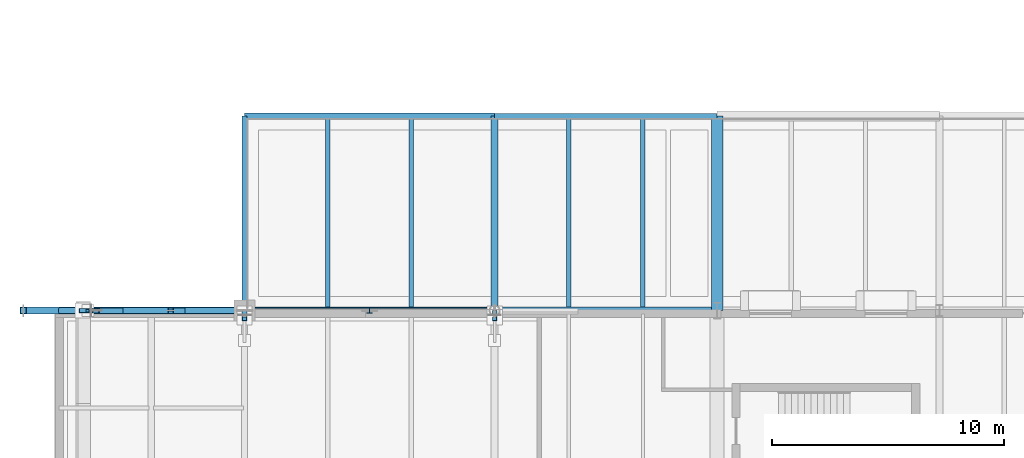
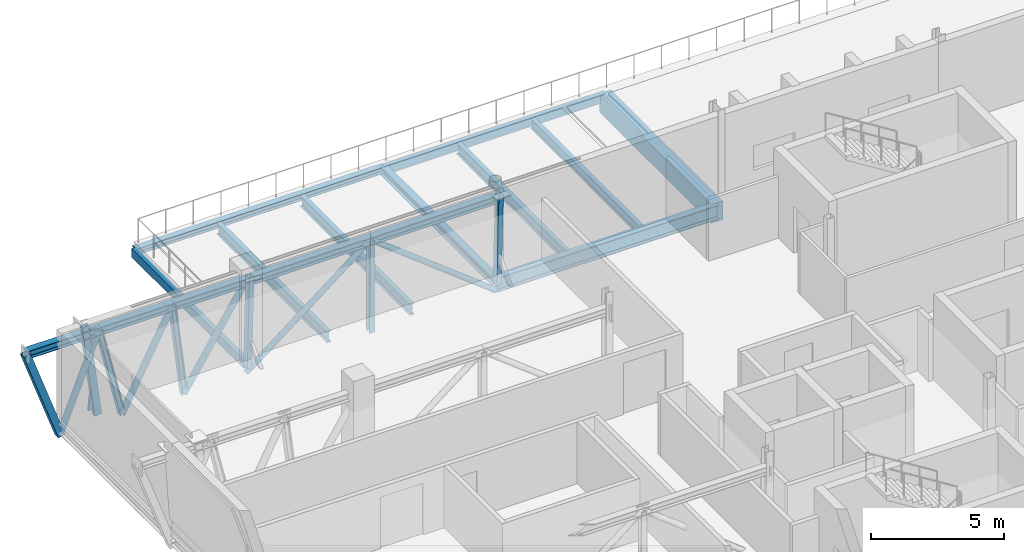
# One storey, part 17 of 57: 18 members, 10 beams.
"""IFC4 building model written with IfcOpenShell, lengths in metres."""

import ifcopenshell
import ifcopenshell.guid

model = None  # the IFC model being written
_history = None  # IfcOwnerHistory: only IFC2X3 demands one
_inside = {}  # id of a spatial element -> (the spatial element, [elements in it])
_under = {}  # id of a project, library or spatial element -> (it, [spatial elements below it])
_declared = {}  # id of a project -> (the project, [libraries it declares])
_typed = {}  # id of a type object -> (the type object, [elements of that type])
_made_of = {}  # id of a material, layer set ... -> (it, [elements and type objects made of it])


def new_model(schema):
    """Start an empty IFC model of exactly this schema.

    Asked for "IFC4X3", IfcOpenShell would pick the latest addendum, in which some entities
    have other attributes; the version numbers below select the first issue.
    IFC2X3 requires an IfcOwnerHistory on every rooted entity: one is made here for all.
    """
    global model, _history
    if schema == "IFC4X3":
        model = ifcopenshell.file(schema_version=(4, 3, 0, 0))
    else:
        model = ifcopenshell.file(schema=schema)
    _inside.clear()
    _under.clear()
    _declared.clear()
    _typed.clear()
    _made_of.clear()
    _history = None
    if model.schema == "IFC2X3":
        org = make("IfcOrganization", Name="unknown")
        user = make(
            "IfcPersonAndOrganization",
            ThePerson=make("IfcPerson", FamilyName="unknown"),
            TheOrganization=org,
        )
        app = make(
            "IfcApplication",
            ApplicationDeveloper=org,
            Version="unknown",
            ApplicationFullName="unknown",
            ApplicationIdentifier="unknown",
        )
        _history = make(
            "IfcOwnerHistory",
            OwningUser=user,
            OwningApplication=app,
            ChangeAction="ADDED",
            CreationDate=0,
        )
    return model


def make(cls, **values):
    """One entity of the class cls with the attributes given. An attribute that is None is left unset."""
    return model.create_entity(
        cls, **{name: value for name, value in values.items() if value is not None}
    )


def rooted(cls, **values):
    """An entity with a GlobalId (a new one), such as an element, a storey or a relation."""
    return make(cls, GlobalId=ifcopenshell.guid.new(), OwnerHistory=_history, **values)


def si_unit(unit_type, name, prefix=None):
    """IfcSIUnit, for example si_unit("LENGTHUNIT", "METRE", prefix="MILLI")."""
    return make("IfcSIUnit", UnitType=unit_type, Prefix=prefix, Name=name)


def assignment(units):
    """IfcUnitAssignment: the units of a project."""
    return None if units is None else make("IfcUnitAssignment", Units=units)


def point(xyz):
    """IfcCartesianPoint."""
    return None if xyz is None else make("IfcCartesianPoint", Coordinates=xyz)


def direction(xyz):
    """IfcDirection."""
    return None if xyz is None else make("IfcDirection", DirectionRatios=xyz)


def frame(location, z_axis=None, x_axis=None):
    """IfcAxis2Placement3D, a coordinate frame: its origin and axes. An axis left out is left unset."""
    return make(
        "IfcAxis2Placement3D",
        Location=point(location),
        Axis=direction(z_axis),
        RefDirection=direction(x_axis),
    )


def frame_2d(location, x_axis=None):
    """IfcAxis2Placement2D, a coordinate frame in the plane: its origin and x axis."""
    return make(
        "IfcAxis2Placement2D", Location=point(location), RefDirection=direction(x_axis)
    )


def origin():
    """The frame at (0, 0, 0) with its axes left unset."""
    return frame((0.0, 0.0, 0.0))


def origin_2d():
    """The frame at (0, 0) in the plane with its x axis left unset."""
    return frame_2d((0.0, 0.0))


def place(relative_to, where):
    """IfcLocalPlacement: puts the frame where relative to a parent placement (None: the world)."""
    return make(
        "IfcLocalPlacement", PlacementRelTo=relative_to, RelativePlacement=where
    )


def context(
    kind, dimensions, precision=None, world=None, true_north=None, identifier=None
):
    """IfcGeometricRepresentationContext, for example the 3D "Model" context."""
    return make(
        "IfcGeometricRepresentationContext",
        ContextIdentifier=identifier,
        ContextType=kind,
        CoordinateSpaceDimension=dimensions,
        Precision=precision,
        WorldCoordinateSystem=world,
        TrueNorth=true_north,
    )


def subcontext(parent, identifier, kind, view, scale=None):
    """IfcGeometricRepresentationSubContext, for example "Body" below "Model"."""
    return make(
        "IfcGeometricRepresentationSubContext",
        ContextIdentifier=identifier,
        ContextType=kind,
        ParentContext=parent,
        TargetScale=scale,
        TargetView=view,
    )


def project(units=None, contexts=None):
    """IfcProject with its units and contexts."""
    return rooted(
        "IfcProject",
        Name="project",
        RepresentationContexts=contexts,
        UnitsInContext=assignment(units),
    )


def spatial(cls, under=None, at=None, **own):
    """A site, building, storey or space (cls), placed at a placement, below another one or the project."""
    s = rooted(cls, ObjectPlacement=at, **own)
    if under is not None:
        _under.setdefault(under.id(), (under, []))[1].append(s)
    return s


def profile(cls, at=None, kind="AREA", **sizes):
    """A parametric profile (cls). Its sizes go by their IFC names, for example OverallWidth=200.0."""
    return make(cls, ProfileType=kind, Position=at, **sizes)


def rectangle(**sizes):
    """IfcRectangleProfileDef."""
    return profile("IfcRectangleProfileDef", **sizes)


def hollow_rectangle(**sizes):
    """IfcRectangleHollowProfileDef."""
    return profile("IfcRectangleHollowProfileDef", **sizes)


def hollow_circle(**sizes):
    """IfcCircleHollowProfileDef."""
    return profile("IfcCircleHollowProfileDef", **sizes)


def i_section(**sizes):
    """IfcIShapeProfileDef."""
    return profile("IfcIShapeProfileDef", **sizes)


def extrude(swept, where, along, depth):
    """IfcExtrudedAreaSolid: the profile swept, set in the frame where, extruded along a direction by depth."""
    return make(
        "IfcExtrudedAreaSolid",
        SweptArea=swept,
        Position=where,
        ExtrudedDirection=direction(along),
        Depth=depth,
    )


def shape(context_of_items, identifier, shape_type, items):
    """IfcShapeRepresentation: the items that make up one representation, for example the "Body"."""
    return make(
        "IfcShapeRepresentation",
        ContextOfItems=context_of_items,
        RepresentationIdentifier=identifier,
        RepresentationType=shape_type,
        Items=items,
    )


def material(Name=None, Category=None):
    """IfcMaterial."""
    return make("IfcMaterial", Name=Name, Category=Category)


def material_profile(
    of_material, cross_section, Name=None, Category=None, Priority=None
):
    """IfcMaterialProfile: a cross section and its material."""
    return make(
        "IfcMaterialProfile",
        Name=Name,
        Material=of_material,
        Profile=cross_section,
        Priority=Priority,
        Category=Category,
    )


def profile_set(profiles, Name=None, composite=None):
    """IfcMaterialProfileSet."""
    return make(
        "IfcMaterialProfileSet",
        Name=Name,
        MaterialProfiles=profiles,
        CompositeProfile=composite,
    )


def made_of(thing, what):
    """Note that an element or type object is made of a material, layer set ...; save() writes the relation."""
    if what is not None:
        _made_of.setdefault(what.id(), (what, []))[1].append(thing)
    return thing


def type_object(cls, material=None, **own):
    """A type object (cls), such as IfcWallType, which elements share."""
    return made_of(rooted(cls, **own), material)


def element(
    cls,
    number,
    at=None,
    inside=None,
    cuts=None,
    type_object=None,
    material=None,
    context=None,
    identifier="Body",
    shape_type=None,
    held_by="IfcProductDefinitionShape",
    body=None,
    shapes=None,
    **own,
):
    """One element of the class cls, such as IfcWall. Its Tag is "e" and its number.

    at: its placement. inside: the storey or other place that contains it. cuts: it is an
    opening in that element (IfcRelVoidsElement). A single representation is given by context,
    identifier, shape_type and body (its items); several are given by shapes. held_by: the class
    of the entity that holds the representations. save() writes the other relations.
    """
    e = rooted(cls, Tag="e%d" % number, ObjectPlacement=at, **own)
    if body is not None:
        shapes = [shape(context, identifier, shape_type, body)]
    if shapes is not None:
        e.Representation = make(held_by, Representations=shapes)
    if inside is not None:
        _inside.setdefault(inside.id(), (inside, []))[1].append(e)
    if cuts is not None:
        rooted(
            "IfcRelVoidsElement", RelatingBuildingElement=cuts, RelatedOpeningElement=e
        )
    if type_object is not None:
        _typed.setdefault(type_object.id(), (type_object, []))[1].append(e)
    return made_of(e, material)


def aggregate(whole, parts):
    """IfcRelAggregates: a whole, such as a stair, and the parts it consists of."""
    return rooted("IfcRelAggregates", RelatingObject=whole, RelatedObjects=parts)


def save(model, path):
    """Write the relations noted so far, then the file.

    IfcRelAggregates (storeys below a building ...), IfcRelContainedInSpatialStructure (elements
    in a storey), IfcRelDefinesByType, IfcRelAssociatesMaterial and IfcRelDeclares: one each for
    every whole, place, type object, material and project.
    """
    for whole, parts in _under.values():
        aggregate(whole, parts)
    for where, things in _inside.values():
        rooted(
            "IfcRelContainedInSpatialStructure",
            RelatedElements=things,
            RelatingStructure=where,
        )
    for kind, things in _typed.values():
        rooted("IfcRelDefinesByType", RelatedObjects=things, RelatingType=kind)
    for what, things in _made_of.values():
        rooted("IfcRelAssociatesMaterial", RelatedObjects=things, RelatingMaterial=what)
    for by, libraries in _declared.values():
        rooted("IfcRelDeclares", RelatingContext=by, RelatedDefinitions=libraries)
    model.write(path)


model = new_model("IFC4")

# Units and contexts
model_context = context("Model", 3, precision=1e-05, world=origin(), true_north=direction((0.0, 1.0)))
body_context = subcontext(model_context, "Body", "Model", "MODEL_VIEW")
ifc_project = project(units=[si_unit("LENGTHUNIT", "METRE"), si_unit("AREAUNIT", "SQUARE_METRE"), si_unit("VOLUMEUNIT", "CUBIC_METRE"), si_unit("PLANEANGLEUNIT", "RADIAN"), si_unit("MASSUNIT", "GRAM", prefix="KILO")], contexts=[model_context])

# Site, building, storey
site_placement = place(None, origin())
site = spatial("IfcSite", under=ifc_project, at=site_placement, CompositionType="ELEMENT")
building_placement = place(site_placement, origin())
building = spatial("IfcBuilding", under=site, at=building_placement, Name="Zereglee Splitstone Museum", CompositionType="ELEMENT")
storey_placement = place(building_placement, frame((0.0, 0.0, 17.10009765625)))
storey = spatial("IfcBuildingStorey", under=building, at=storey_placement, Name="L03", CompositionType="ELEMENT", Elevation=17.10009765625)

# Beam
ifc_material_1 = material(Name="Concrete C40/50", Category="concrete")
ifc_material_profile_1 = material_profile(ifc_material_1, rectangle(XDim=0.5, YDim=0.85009765625, at=origin_2d()), Name="RC 500x850")
ifc_profile_set_1 = profile_set([ifc_material_profile_1], Name="Concrete C40/50")
beam_type_1 = type_object("IfcBeamType", Name="BG-02", PredefinedType="BEAM", material=ifc_profile_set_1)
beam_1_placement = place(storey_placement, frame((30.0, 30.0, -0.705078125), z_axis=(0.0, 1.0, 0.0), x_axis=(-1.0, 0.0, 0.0)))
element("IfcBeam", 1, at=beam_1_placement, inside=storey, type_object=beam_type_1, Name="Primary Girder L03 5 (30.0-38.4)", PredefinedType="BEAM", context=body_context, shape_type="SweptSolid", body=[
    extrude(rectangle(XDim=0.5, YDim=0.85009765625, at=origin_2d()), origin(), (0.0, 0.0, 1.0), 8.39990234375),
])

# Members
ifc_material_2 = material(Name="Steel S355J2H", Category="steel")
ifc_material_profile_2 = material_profile(ifc_material_2, hollow_circle(Radius=0.122314453125, WallThickness=0.012451171875, at=origin_2d()), Name="CHS 244.5x12.5")
ifc_profile_set_2 = profile_set([ifc_material_profile_2], Name="Steel S355J2H")
member_type_1 = type_object("IfcMemberType", Name="TB-02", PredefinedType="BRACE", material=ifc_profile_set_2)
for number, where, z_axis, x_axis, name in (
    (2, (9.60009765625, 30.0, -0.900146484375), (0.789350295703, 0.0, 0.613943084229), (0.0, 1.0, 0.0), "Cantilever Truss CT-04 Web Brace L03-4"),
    (3, (20.39990234375, 30.0, -0.900146484375), (-0.789350295703, 0.0, 0.613943084229), (0.0, -1.0, 0.0), "Cantilever Truss CT-04 Web Brace L03-5"),
):
    element("IfcMember", number, at=place(storey_placement, frame(where, z_axis=z_axis, x_axis=x_axis)), inside=storey, type_object=member_type_1, Name=name, PredefinedType="BRACE", context=body_context, shape_type="SweptSolid", body=[
        extrude(hollow_circle(Radius=0.122314453125, WallThickness=0.012451171875, at=origin_2d()), origin(), (0.0, 0.0, 1.0), 6.841064453125),
    ])
ifc_material_profile_3 = material_profile(ifc_material_2, hollow_circle(Radius=0.136474609375, WallThickness=0.012451171875, at=origin_2d()), Name="CHS 273.0x12.5")
ifc_profile_set_3 = profile_set([ifc_material_profile_3], Name="Steel S355J2H")
member_type_2 = type_object("IfcMemberType", Name="TB-01", PredefinedType="BRACE", material=ifc_profile_set_3)
member_1_placement = place(storey_placement, frame((1.550048828125, 30.0, -0.900146484375), z_axis=(0.372032488068, 0.0, 0.928219708809), x_axis=(0.0, 1.0, 0.0)))
element("IfcMember", 4, at=member_1_placement, inside=storey, type_object=member_type_2, Name="Cantilever Truss CT-04 Web Brace L03-1", PredefinedType="BRACE", context=body_context, shape_type="SweptSolid", body=[
    extrude(hollow_circle(Radius=0.136474609375, WallThickness=0.012451171875, at=origin_2d()), origin(), (0.0, 0.0, 1.0), 4.524658203125),
])
member_2_placement = place(storey_placement, frame((4.2333984375, 30.0, -0.900146484375), z_axis=(0.461248800946, 0.0, 0.887270840063), x_axis=(0.0, 1.0, 0.0)))
element("IfcMember", 5, at=member_2_placement, inside=storey, type_object=member_type_2, Name="Cantilever Truss CT-04 Web Brace L03-2", PredefinedType="BRACE", context=body_context, shape_type="SweptSolid", body=[
    extrude(hollow_circle(Radius=0.136474609375, WallThickness=0.012451171875, at=origin_2d()), origin(), (0.0, 0.0, 1.0), 4.733642578125),
])
member_3_placement = place(storey_placement, frame((6.916748046875, 30.0, -0.900146484375), z_axis=(0.538396041065, 0.0, 0.842691938353), x_axis=(0.0, 1.0, 0.0)))
element("IfcMember", 6, at=member_3_placement, inside=storey, type_object=member_type_2, Name="Cantilever Truss CT-04 Web Brace L03-3", PredefinedType="BRACE", context=body_context, shape_type="SweptSolid", body=[
    extrude(hollow_circle(Radius=0.136474609375, WallThickness=0.012451171875, at=origin_2d()), origin(), (0.0, 0.0, 1.0), 4.98388671875),
])
ifc_material_3 = material(Name="Steel S355J2", Category="steel")
ifc_material_profile_4 = material_profile(ifc_material_3, i_section(OverallWidth=0.300048828125, OverallDepth=0.360107421875, WebThickness=0.012451171875, FlangeThickness=0.0224609375, FilletRadius=0.027099609375, at=origin_2d()), Name="HE 360 B")
ifc_profile_set_4 = profile_set([ifc_material_profile_4], Name="Steel S355J2")
member_type_3 = type_object("IfcMemberType", Name="TC-06", PredefinedType="CHORD", material=ifc_profile_set_4)
for number, where, z_axis, x_axis, name in (
    (7, (0.050048828125, 30.0, 3.2998046875), (1.0, 0.0, 0.0), (0.0, 1.0, 0.0), "Cantilever Truss CT-04 Top Chord L03-1"),
    (8, (3.2333984375, 30.0, 3.2998046875), (1.0, 0.0, 0.0), (0.0, 1.0, 0.0), "Cantilever Truss CT-04 Top Chord L03-2"),
    (9, (6.416748046875, 30.0, 3.2998046875), (1.0, 0.0, 0.0), (0.0, 1.0, 0.0), "Cantilever Truss CT-04 Top Chord L03-3"),
):
    element("IfcMember", number, at=place(storey_placement, frame(where, z_axis=z_axis, x_axis=x_axis)), inside=storey, type_object=member_type_3, Name=name, PredefinedType="CHORD", context=body_context, shape_type="SweptSolid", body=[
        extrude(i_section(OverallWidth=0.300048828125, OverallDepth=0.360107421875, WebThickness=0.012451171875, FlangeThickness=0.0224609375, FilletRadius=0.027099609375, at=origin_2d()), origin(), (0.0, 0.0, 1.0), 3.183349609375),
    ])
for number, where, z_axis, x_axis, name in (
    (10, (9.60009765625, 30.0, 3.2998046875), (1.0, 0.0, 0.0), (0.0, 1.0, 0.0), "Cantilever Truss CT-04 Top Chord L03-4"),
    (11, (15.0, 30.0, 3.2998046875), (1.0, 0.0, 0.0), (0.0, 1.0, 0.0), "Cantilever Truss CT-04 Top Chord L03-5"),
):
    element("IfcMember", number, at=place(storey_placement, frame(where, z_axis=z_axis, x_axis=x_axis)), inside=storey, type_object=member_type_3, Name=name, PredefinedType="CHORD", context=body_context, shape_type="SweptSolid", body=[
        extrude(i_section(OverallWidth=0.300048828125, OverallDepth=0.360107421875, WebThickness=0.012451171875, FlangeThickness=0.0224609375, FilletRadius=0.027099609375, at=origin_2d()), origin(), (0.0, 0.0, 1.0), 5.39990234375),
    ])

# Beams
ifc_material_profile_5 = material_profile(ifc_material_3, i_section(OverallWidth=0.300048828125, OverallDepth=0.360107421875, WebThickness=0.012451171875, FlangeThickness=0.0224609375, FilletRadius=0.027099609375, at=origin_2d()), Name="HE 360 B")
ifc_profile_set_5 = profile_set([ifc_material_profile_5], Name="Steel S355J2")
beam_type_2 = type_object("IfcBeamType", Name="BG-14", PredefinedType="BEAM", material=ifc_profile_set_5)
beam_2_placement = place(storey_placement, frame((20.39990234375, 30.0, -0.460205078125), z_axis=(0.0, 1.0, 0.0), x_axis=(-1.0, 0.0, 0.0)))
element("IfcBeam", 12, at=beam_2_placement, inside=storey, type_object=beam_type_2, Name="Primary Girder L03 4 (30.0-38.4)", PredefinedType="BEAM", context=body_context, shape_type="SweptSolid", body=[
    extrude(i_section(OverallWidth=0.300048828125, OverallDepth=0.360107421875, WebThickness=0.012451171875, FlangeThickness=0.0224609375, FilletRadius=0.027099609375, at=origin_2d()), origin(), (0.0, 0.0, 1.0), 8.39990234375),
])
ifc_material_profile_6 = material_profile(ifc_material_3, i_section(OverallWidth=0.300048828125, OverallDepth=0.64990234375, WebThickness=0.01611328125, FlangeThickness=0.031005859375, FilletRadius=0.027099609375, at=origin_2d()), Name="HE 650 B")
ifc_profile_set_6 = profile_set([ifc_material_profile_6], Name="Steel S355J2")
beam_type_3 = type_object("IfcBeamType", Name="BG-09", PredefinedType="BEAM", material=ifc_profile_set_6)
beam_3_placement = place(storey_placement, frame((20.39990234375, 30.0, -0.60498046875), z_axis=(1.0, 0.0, 0.0), x_axis=(0.0, 1.0, 0.0)))
element("IfcBeam", 13, at=beam_3_placement, inside=storey, type_object=beam_type_3, Name="Primary Girder L03 D (20.4-30.0)", PredefinedType="BEAM", context=body_context, shape_type="SweptSolid", body=[
    extrude(i_section(OverallWidth=0.300048828125, OverallDepth=0.64990234375, WebThickness=0.01611328125, FlangeThickness=0.031005859375, FilletRadius=0.027099609375, at=origin_2d()), origin(), (0.0, 0.0, 1.0), 9.60009765625),
])
ifc_material_profile_7 = material_profile(ifc_material_3, i_section(OverallWidth=0.18994140625, OverallDepth=0.449951171875, WebThickness=0.009521484375, FlangeThickness=0.0146484375, FilletRadius=0.02099609375, at=origin_2d()), Name="IPE 450")
ifc_profile_set_7 = profile_set([ifc_material_profile_7], Name="Steel S355J2")
beam_type_4 = type_object("IfcBeamType", Name="BJ-02", PredefinedType="JOIST", material=ifc_profile_set_7)
beam_4_placement = place(storey_placement, frame((26.800048828125, 30.14990234375, -0.505126953125), z_axis=(0.0, 1.0, 0.0), x_axis=(-1.0, 0.0, 0.0)))
element("IfcBeam", 14, at=beam_4_placement, inside=storey, type_object=beam_type_4, Name="Secondary Floor Joist L03-1359", PredefinedType="JOIST", context=body_context, shape_type="SweptSolid", body=[
    extrude(i_section(OverallWidth=0.18994140625, OverallDepth=0.449951171875, WebThickness=0.009521484375, FlangeThickness=0.0146484375, FilletRadius=0.02099609375, at=origin_2d()), origin(), (0.0, 0.0, 1.0), 8.150146484375),
])
ifc_material_profile_8 = material_profile(ifc_material_3, i_section(OverallWidth=0.199951171875, OverallDepth=0.5, WebThickness=0.01025390625, FlangeThickness=0.01611328125, FilletRadius=0.02099609375, at=origin_2d()), Name="IPE 500")
ifc_profile_set_8 = profile_set([ifc_material_profile_8], Name="Steel S355J2")
beam_type_5 = type_object("IfcBeamType", Name="BJ-01", PredefinedType="JOIST", material=ifc_profile_set_8)
for number, where, z_axis, x_axis, name in (
    (15, (13.199951171875, 30.0, -0.530029296875), (0.0, 1.0, 0.0), (-1.0, 0.0, 0.0), "Secondary Floor Joist L03-1356"),
    (16, (16.800048828125, 30.0, -0.530029296875), (0.0, 1.0, 0.0), (-1.0, 0.0, 0.0), "Secondary Floor Joist L03-1357"),
):
    element("IfcBeam", number, at=place(storey_placement, frame(where, z_axis=z_axis, x_axis=x_axis)), inside=storey, type_object=beam_type_5, Name=name, PredefinedType="JOIST", context=body_context, shape_type="SweptSolid", body=[
        extrude(i_section(OverallWidth=0.199951171875, OverallDepth=0.5, WebThickness=0.01025390625, FlangeThickness=0.01611328125, FilletRadius=0.02099609375, at=origin_2d()), origin(), (0.0, 0.0, 1.0), 8.260009765625),
    ])
beam_5_placement = place(storey_placement, frame((23.60009765625, 30.14990234375, -0.530029296875), z_axis=(0.0, 1.0, 0.0), x_axis=(-1.0, 0.0, 0.0)))
element("IfcBeam", 17, at=beam_5_placement, inside=storey, type_object=beam_type_5, Name="Secondary Floor Joist L03-1358", PredefinedType="JOIST", context=body_context, shape_type="SweptSolid", body=[
    extrude(i_section(OverallWidth=0.199951171875, OverallDepth=0.5, WebThickness=0.01025390625, FlangeThickness=0.01611328125, FilletRadius=0.02099609375, at=origin_2d()), origin(), (0.0, 0.0, 1.0), 8.150146484375),
])

# Members
ifc_material_profile_9 = material_profile(ifc_material_3, i_section(OverallWidth=0.239990234375, OverallDepth=0.239990234375, WebThickness=0.010009765625, FlangeThickness=0.01708984375, FilletRadius=0.02099609375, at=origin_2d()), Name="HE 240 B")
ifc_profile_set_9 = profile_set([ifc_material_profile_9], Name="Steel S355J2")
member_type_4 = type_object("IfcMemberType", Name="TP-02", PredefinedType="POST", material=ifc_profile_set_9)
member_4_placement = place(storey_placement, frame((4.2333984375, 30.0, -0.900146484375), z_axis=(-0.231623075633, 0.0, 0.972805607937), x_axis=(0.0, -1.0, 0.0)))
element("IfcMember", 18, at=member_4_placement, inside=storey, type_object=member_type_4, Name="Cantilever Truss CT-04 Post L03-2", PredefinedType="POST", context=body_context, shape_type="SweptSolid", body=[
    extrude(i_section(OverallWidth=0.239990234375, OverallDepth=0.239990234375, WebThickness=0.010009765625, FlangeThickness=0.01708984375, FilletRadius=0.02099609375, at=origin_2d()), origin(), (0.0, 0.0, 1.0), 4.3173828125),
])
member_5_placement = place(storey_placement, frame((6.916748046875, 30.0, -0.900146484375), z_axis=(-0.118214244908, 0.0, 0.99298811287), x_axis=(0.0, -1.0, 0.0)))
element("IfcMember", 19, at=member_5_placement, inside=storey, type_object=member_type_4, Name="Cantilever Truss CT-04 Post L03-3", PredefinedType="POST", context=body_context, shape_type="SweptSolid", body=[
    extrude(i_section(OverallWidth=0.239990234375, OverallDepth=0.239990234375, WebThickness=0.010009765625, FlangeThickness=0.01708984375, FilletRadius=0.02099609375, at=origin_2d()), origin(), (0.0, 0.0, 1.0), 4.2294921875),
])
member_6_placement = place(storey_placement, frame((15.0, 30.0, -0.900146484375), z_axis=(0.0, 0.0, 1.0), x_axis=(1.0, 0.0, 0.0)))
element("IfcMember", 20, at=member_6_placement, inside=storey, type_object=member_type_4, Name="Cantilever Truss CT-04 Post L03-4", PredefinedType="POST", context=body_context, shape_type="SweptSolid", body=[
    extrude(i_section(OverallWidth=0.239990234375, OverallDepth=0.239990234375, WebThickness=0.010009765625, FlangeThickness=0.01708984375, FilletRadius=0.02099609375, at=origin_2d()), origin(), (0.0, 0.0, 1.0), 4.199951171875),
])
ifc_material_profile_10 = material_profile(ifc_material_2, hollow_rectangle(XDim=0.300048828125, YDim=0.300048828125, WallThickness=0.01611328125, at=origin_2d()), Name="SHS 300x300x16")
ifc_profile_set_10 = profile_set([ifc_material_profile_10], Name="Steel S355J2H")
member_type_5 = type_object("IfcMemberType", Name="TP-01", PredefinedType="POST", material=ifc_profile_set_10)
member_7_placement = place(storey_placement, frame((1.550048828125, 30.0, -0.900146484375), z_axis=(-0.336339864867, 0.0, 0.941740673063), x_axis=(0.0, -1.0, 0.0)))
element("IfcMember", 21, at=member_7_placement, inside=storey, type_object=member_type_5, Name="Cantilever Truss CT-04 Post L03-1", PredefinedType="POST", context=body_context, shape_type="SweptSolid", body=[
    extrude(hollow_rectangle(XDim=0.300048828125, YDim=0.300048828125, WallThickness=0.01611328125, at=origin_2d()), origin(), (0.0, 0.0, 1.0), 4.459716796875),
])

# Beams
ifc_material_profile_11 = material_profile(ifc_material_3, i_section(OverallWidth=0.280029296875, OverallDepth=0.280029296875, WebThickness=0.010498046875, FlangeThickness=0.01806640625, FilletRadius=0.02392578125, at=origin_2d()), Name="HE 280 B")
ifc_profile_set_11 = profile_set([ifc_material_profile_11], Name="Steel S355J2")
beam_type_6 = type_object("IfcBeamType", Name="SP-03", PredefinedType="SPANDREL", material=ifc_profile_set_11)
beam_6_placement = place(storey_placement, frame((9.60009765625, 38.39990234375, -0.420166015625), z_axis=(1.0, 0.0, 0.0), x_axis=(0.0, 1.0, 0.0)))
element("IfcBeam", 22, at=beam_6_placement, inside=storey, type_object=beam_type_6, Name="Primary Girder L03 E (9.6-20.4)", PredefinedType="SPANDREL", context=body_context, shape_type="SweptSolid", body=[
    extrude(i_section(OverallWidth=0.280029296875, OverallDepth=0.280029296875, WebThickness=0.010498046875, FlangeThickness=0.01806640625, FilletRadius=0.02392578125, at=origin_2d()), origin(), (0.0, 0.0, 1.0), 10.7998046875),
])
ifc_material_profile_12 = material_profile(ifc_material_2, hollow_rectangle(XDim=0.199951171875, YDim=0.39990234375, WallThickness=0.01611328125, at=origin_2d()), Name="RHS 400x200x16")
ifc_profile_set_12 = profile_set([ifc_material_profile_12], Name="Steel S355J2H")
beam_type_7 = type_object("IfcBeamType", Name="SP-04", PredefinedType="SPANDREL", material=ifc_profile_set_12)
beam_7_placement = place(storey_placement, frame((20.39990234375, 38.39990234375, -0.47998046875), z_axis=(1.0, 0.0, 0.0), x_axis=(0.0, 1.0, 0.0)))
element("IfcBeam", 23, at=beam_7_placement, inside=storey, type_object=beam_type_7, Name="Primary Girder L03 E (20.4-30.0)", PredefinedType="SPANDREL", context=body_context, shape_type="SweptSolid", body=[
    extrude(hollow_rectangle(XDim=0.199951171875, YDim=0.39990234375, WallThickness=0.01611328125, at=origin_2d()), origin(), (0.0, 0.0, 1.0), 9.60009765625),
])
beam_8_placement = place(storey_placement, frame((9.60009765625, 30.0, -0.47998046875), z_axis=(0.0, 1.0, 0.0), x_axis=(-1.0, 0.0, 0.0)))
element("IfcBeam", 24, at=beam_8_placement, inside=storey, type_object=beam_type_7, Name="Primary Girder L03 2 (30.0-38.4)", PredefinedType="SPANDREL", context=body_context, shape_type="SweptSolid", body=[
    extrude(hollow_rectangle(XDim=0.199951171875, YDim=0.39990234375, WallThickness=0.01611328125, at=origin_2d()), origin(), (0.0, 0.0, 1.0), 8.39990234375),
])

# Members
ifc_material_profile_13 = material_profile(ifc_material_2, hollow_rectangle(XDim=0.199951171875, YDim=0.300048828125, WallThickness=0.012451171875, at=origin_2d()), Name="RHS 300x200x12.5")
ifc_profile_set_13 = profile_set([ifc_material_profile_13], Name="Steel S355J2H")
member_type_6 = type_object("IfcMemberType", Name="FS-R1", PredefinedType="STRUT", material=ifc_profile_set_13)
member_8_placement = place(storey_placement, frame((3.156982421875, 30.0, -0.530029296875), z_axis=(-0.128348172023, 0.0, 0.991729170055), x_axis=(0.0, -1.0, 0.0)))
element("IfcMember", 25, at=member_8_placement, inside=storey, type_object=member_type_6, Name="Split-Rock Continuous Facet Strut FH-V1W-N L03-02", PredefinedType="STRUT", context=body_context, shape_type="SweptSolid", body=[
    extrude(hollow_rectangle(XDim=0.199951171875, YDim=0.300048828125, WallThickness=0.012451171875, at=origin_2d()), origin(), (0.0, 0.0, 1.0), 4.255126953125),
])
for number, where, z_axis, x_axis, name in (
    (26, (9.60009765625, 29.864501953125, -0.530029296875), (0.0, -0.037116437858, 0.999310947624), (1.0, 0.0, 0.0), "Split-Rock Continuous Facet Strut FH-V1N-W L03-01"),
    (27, (20.39990234375, 29.864501953125, -0.530029296875), (0.0, -0.037116437858, 0.999310947624), (1.0, 0.0, 0.0), "Split-Rock Continuous Facet Strut FH-V1N-W L03-02"),
):
    element("IfcMember", number, at=place(storey_placement, frame(where, z_axis=z_axis, x_axis=x_axis)), inside=storey, type_object=member_type_6, Name=name, PredefinedType="STRUT", context=body_context, shape_type="SweptSolid", body=[
        extrude(hollow_rectangle(XDim=0.199951171875, YDim=0.300048828125, WallThickness=0.012451171875, at=origin_2d()), origin(), (0.0, 0.0, 1.0), 4.222900390625),
    ])
ifc_material_profile_14 = material_profile(ifc_material_2, hollow_rectangle(XDim=0.10009765625, YDim=0.179931640625, WallThickness=0.008056640625, at=origin_2d()), Name="RHS 180x100x8")
ifc_profile_set_14 = profile_set([ifc_material_profile_14], Name="Steel S355J2H")
member_type_7 = type_object("IfcMemberType", Name="FS-T2", PredefinedType="STRUT", material=ifc_profile_set_14)
member_9_placement = place(storey_placement, frame((2.85009765625, 30.0, -0.239990234375), z_axis=(0.102177623871, 0.0, 0.994766170102), x_axis=(0.0, 1.0, 0.0)))
element("IfcMember", 28, at=member_9_placement, inside=storey, type_object=member_type_7, Name="Facet Tie-Back Strut FH-V1W-N L03-02", PredefinedType="STRUT", context=body_context, shape_type="SweptSolid", body=[
    extrude(hollow_rectangle(XDim=0.10009765625, YDim=0.179931640625, WallThickness=0.008056640625, at=origin_2d()), origin(), (0.0, 0.0, 1.0), 1.166015625),
])

save(model, "model.ifc")
